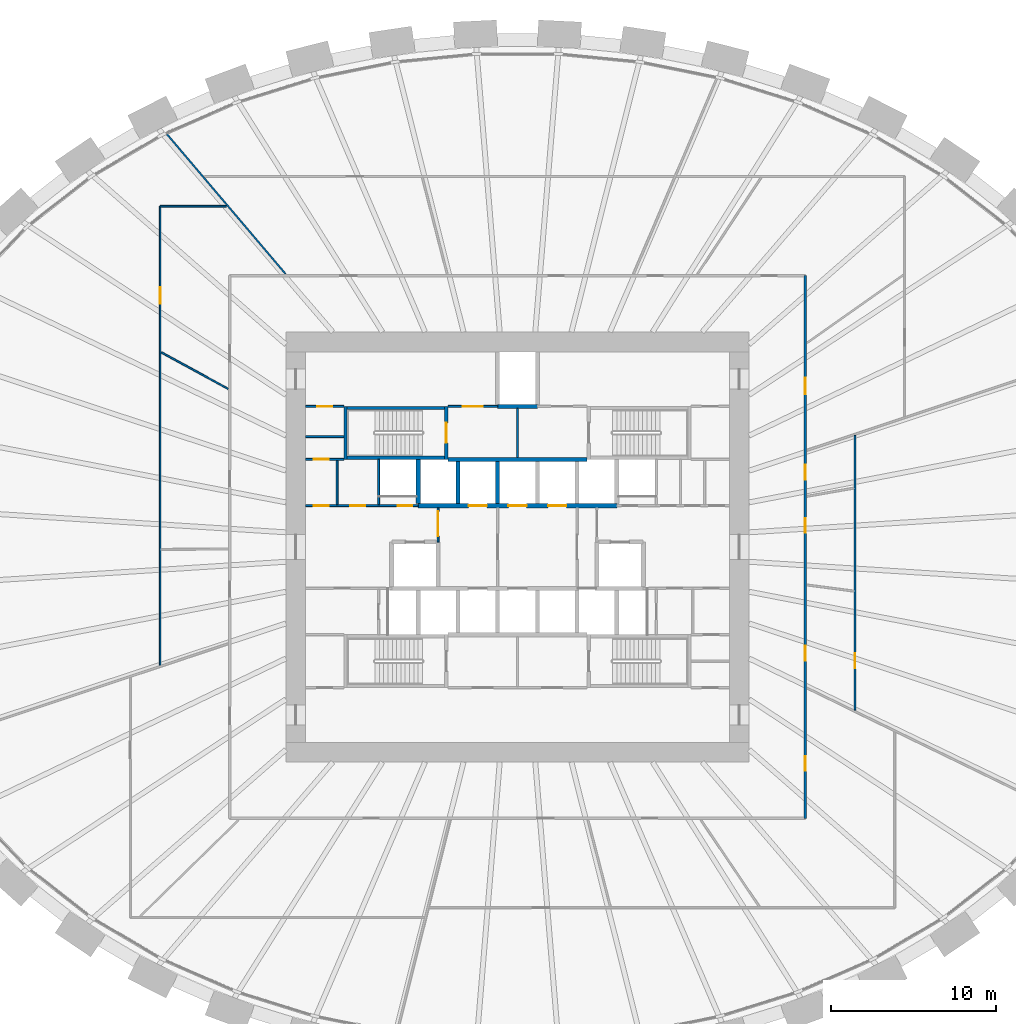
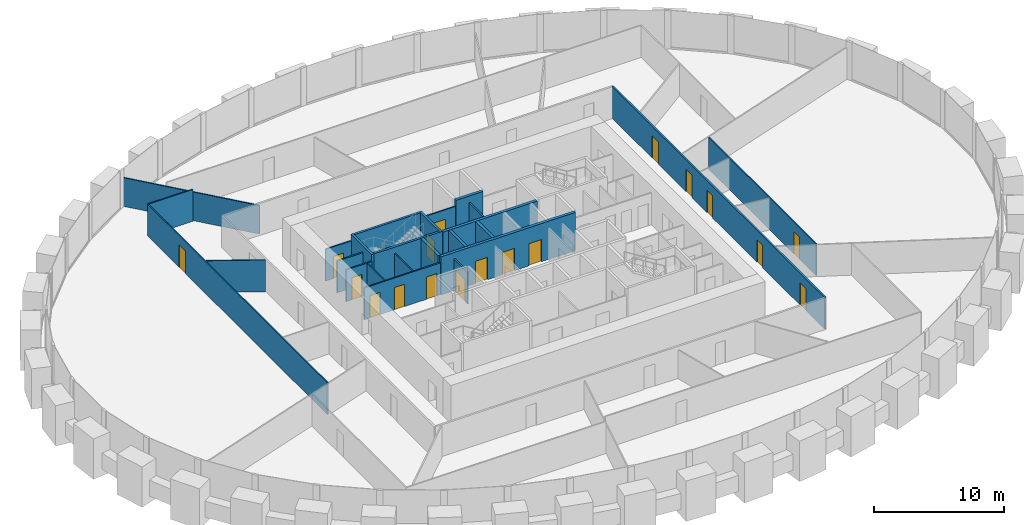
# One storey, part 8 of 11: 25 walls, 18 doors, 18 openings.
"""IFC4 building model written with IfcOpenShell, lengths in metres."""

from ifc_helpers import new_model, si_unit, direction, frame, frame_2d, origin, place, context, subcontext, project, spatial, rectangle, extrude, source, transform, mapped, material, layer, layer_set, type_object, element, fill, save


model = new_model("IFC4")

# Units and contexts
model_context = context("Model", 3, precision=1e-05, world=origin(), true_north=direction((0.0, 1.0)))
body_context = subcontext(model_context, "Body", "Model", "MODEL_VIEW")
ifc_project = project(units=[si_unit("LENGTHUNIT", "METRE"), si_unit("AREAUNIT", "SQUARE_METRE"), si_unit("VOLUMEUNIT", "CUBIC_METRE"), si_unit("PLANEANGLEUNIT", "RADIAN"), si_unit("MASSUNIT", "GRAM", prefix="KILO")], contexts=[model_context])

# Site, building, storey
site_placement = place(None, origin())
site = spatial("IfcSite", under=ifc_project, at=site_placement, CompositionType="ELEMENT")
building_placement = place(site_placement, origin())
building = spatial("IfcBuilding", under=site, at=building_placement, Name="Embergate Tower", CompositionType="ELEMENT")
storey_placement = place(building_placement, frame((0.0, 0.0, 49.699951171875)))
storey = spatial("IfcBuildingStorey", under=building, at=storey_placement, Name="L08", CompositionType="ELEMENT", Elevation=49.699951171875)

# Wall, openings, doors
ifc_material_1 = material(Name="Corridor wall dry-lined 150")
ifc_layer_1 = layer(ifc_material_1, 0.14990234375)
ifc_layer_set_1 = layer_set([ifc_layer_1], Name="Corridor wall dry-lined 150")
wall_type_1 = type_object("IfcWallType", Name="Corridor wall dry-lined 150", PredefinedType="PARTITIONING", material=ifc_layer_set_1)
shared_shape_1 = source(origin(), body_context, "Body", "SweptSolid", [
    extrude(rectangle(XDim=32.7998046875, YDim=0.14990234375, at=frame_2d((16.39990234375, 0.0))), origin(), (0.0, 0.0, 1.0), 3.0),
])
wall_1_placement = place(storey_placement, frame((17.39990234375, 16.39990234375, 0.0), z_axis=(0.0, 0.0, 1.0), x_axis=(0.0, -1.0, 0.0)))
wall_1 = element("IfcWall", 1, at=wall_1_placement, inside=storey, type_object=wall_type_1, Name="IP-2 wall", PredefinedType="PARTITIONING", context=body_context, shape_type="MappedRepresentation", body=[
    mapped(shared_shape_1, transform((0.0, 0.0, 0.0))),
])
shared_shape_2 = source(origin(), body_context, "Body", "SweptSolid", [
    extrude(rectangle(XDim=0.89990234375, YDim=2.10009765625, at=frame_2d((0.449951171875, 1.050048828125))), frame((0.0, 0.0849609375, 0.0), z_axis=(0.0, -1.0, 0.0), x_axis=(1.0, 0.0, 0.0)), (0.0, 0.0, 1.0), 0.169921875),
])
opening_1_placement = place(wall_1_placement, frame((29.031005859375, 0.0, 0.0)))
opening_1 = element("IfcOpeningElement", 2, at=opening_1_placement, cuts=wall_1, Name="Opening IF-1c", PredefinedType="OPENING", context=body_context, shape_type="MappedRepresentation", body=[
    mapped(shared_shape_2, transform((0.0, 0.0, 0.0))),
])
opening_2_placement = place(wall_1_placement, frame((22.361083984375, 0.0, 0.0)))
opening_2 = element("IfcOpeningElement", 3, at=opening_2_placement, cuts=wall_1, Name="Opening IF-1c", PredefinedType="OPENING", context=body_context, shape_type="MappedRepresentation", body=[
    mapped(shared_shape_2, transform((0.0, 0.0, 0.0))),
])
opening_3_placement = place(wall_1_placement, frame((14.64599609375, 0.0, 0.0)))
opening_3 = element("IfcOpeningElement", 4, at=opening_3_placement, cuts=wall_1, Name="Opening IF-1c", PredefinedType="OPENING", context=body_context, shape_type="MappedRepresentation", body=[
    mapped(shared_shape_2, transform((0.0, 0.0, 0.0))),
])
opening_4_placement = place(wall_1_placement, frame((11.429931640625, 0.0, 0.0)))
opening_4 = element("IfcOpeningElement", 5, at=opening_4_placement, cuts=wall_1, Name="Opening IF-1c", PredefinedType="OPENING", context=body_context, shape_type="MappedRepresentation", body=[
    mapped(shared_shape_2, transform((0.0, 0.0, 0.0))),
])
shared_shape_3 = source(origin(), body_context, "Body", "SweptSolid", [
    extrude(rectangle(XDim=1.0, YDim=2.10009765625, at=frame_2d((0.5, 1.050048828125))), frame((0.0, 0.0849609375, 0.0), z_axis=(0.0, -1.0, 0.0), x_axis=(1.0, 0.0, 0.0)), (0.0, 0.0, 1.0), 0.169921875),
])
opening_5_placement = place(wall_1_placement, frame((6.178955078125, 0.0, 0.0)))
opening_5 = element("IfcOpeningElement", 6, at=opening_5_placement, cuts=wall_1, Name="Opening ID-2", PredefinedType="OPENING", context=body_context, shape_type="MappedRepresentation", body=[
    mapped(shared_shape_3, transform((0.0, 0.0, 0.0))),
])
ifc_material_2 = material(Name="Escape fire door 900")
door_type_1 = type_object("IfcDoorType", Name="Escape fire door 900", OperationType="SINGLE_SWING_LEFT", PredefinedType="DOOR", material=ifc_material_2)
shared_shape_4 = source(origin(), body_context, "Body", "SweptSolid", [
    extrude(rectangle(XDim=0.89990234375, YDim=2.10009765625, at=frame_2d((0.449951171875, 1.050048828125))), frame((0.0, 0.02490234375, 0.0), z_axis=(0.0, -1.0, 0.0), x_axis=(1.0, 0.0, 0.0)), (0.0, 0.0, 1.0), 0.050048828125),
])
door_1_placement = place(opening_1_placement, origin())
door_1 = element("IfcDoor", 7, at=door_1_placement, inside=storey, type_object=door_type_1, Name="IF-1 door", OperationType="SINGLE_SWING_RIGHT", OverallHeight=2.10009765625, OverallWidth=0.89990234375, PredefinedType="DOOR", context=body_context, shape_type="MappedRepresentation", body=[
    mapped(shared_shape_4, transform((0.0, 0.0, 0.0))),
])
fill(opening_1, door_1)
door_2_placement = place(opening_2_placement, origin())
door_2 = element("IfcDoor", 8, at=door_2_placement, inside=storey, type_object=door_type_1, Name="IF-1 door", OperationType="SINGLE_SWING_LEFT", OverallHeight=2.10009765625, OverallWidth=0.89990234375, PredefinedType="DOOR", context=body_context, shape_type="MappedRepresentation", body=[
    mapped(shared_shape_4, transform((0.0, 0.0, 0.0))),
])
fill(opening_2, door_2)
door_3_placement = place(opening_3_placement, origin())
door_3 = element("IfcDoor", 9, at=door_3_placement, inside=storey, type_object=door_type_1, Name="IF-1 door", OperationType="SINGLE_SWING_RIGHT", OverallHeight=2.10009765625, OverallWidth=0.89990234375, PredefinedType="DOOR", context=body_context, shape_type="MappedRepresentation", body=[
    mapped(shared_shape_4, transform((0.0, 0.0, 0.0))),
])
fill(opening_3, door_3)
door_4_placement = place(opening_4_placement, origin())
door_4 = element("IfcDoor", 10, at=door_4_placement, inside=storey, type_object=door_type_1, Name="IF-1 door", OperationType="SINGLE_SWING_RIGHT", OverallHeight=2.10009765625, OverallWidth=0.89990234375, PredefinedType="DOOR", context=body_context, shape_type="MappedRepresentation", body=[
    mapped(shared_shape_4, transform((0.0, 0.0, 0.0))),
])
fill(opening_4, door_4)
ifc_material_3 = material(Name="Interior door 1000")
door_type_2 = type_object("IfcDoorType", Name="Interior door 1000", OperationType="SINGLE_SWING_LEFT", PredefinedType="DOOR", material=ifc_material_3)
shared_shape_5 = source(origin(), body_context, "Body", "SweptSolid", [
    extrude(rectangle(XDim=1.0, YDim=2.10009765625, at=frame_2d((0.5, 1.050048828125))), frame((0.0, 0.02490234375, 0.0), z_axis=(0.0, -1.0, 0.0), x_axis=(1.0, 0.0, 0.0)), (0.0, 0.0, 1.0), 0.050048828125),
])
door_5_placement = place(opening_5_placement, origin())
door_5 = element("IfcDoor", 11, at=door_5_placement, inside=storey, type_object=door_type_2, Name="ID-2 door", OperationType="SINGLE_SWING_RIGHT", OverallHeight=2.10009765625, OverallWidth=1.0, PredefinedType="DOOR", context=body_context, shape_type="MappedRepresentation", body=[
    mapped(shared_shape_5, transform((0.0, 0.0, 0.0))),
])
fill(opening_5, door_5)

# Wall, opening, door
ifc_material_4 = material(Name="Partition dry-lined 100 wet")
ifc_layer_2 = layer(ifc_material_4, 0.10009765625)
ifc_layer_set_2 = layer_set([ifc_layer_2], Name="Partition dry-lined 100 wet")
wall_type_2 = type_object("IfcWallType", Name="Partition dry-lined 100 wet", PredefinedType="PLUMBINGWALL", material=ifc_layer_set_2)
shared_shape_6 = source(origin(), body_context, "Body", "SweptSolid", [
    extrude(rectangle(XDim=16.60400390625, YDim=0.10009765625, at=frame_2d((8.302001953125, 0.0))), origin(), (0.0, 0.0, 1.0), 3.0),
])
wall_2_placement = place(storey_placement, frame((20.39990234375, 6.74609375, 0.0), z_axis=(0.0, 0.0, 1.0), x_axis=(0.0, -1.0, 0.0)))
wall_2 = element("IfcWall", 12, at=wall_2_placement, inside=storey, type_object=wall_type_2, Name="IP-1 wall", PredefinedType="PLUMBINGWALL", context=body_context, shape_type="MappedRepresentation", body=[
    mapped(shared_shape_6, transform((0.0, 0.0, 0.0))),
])
shared_shape_7 = source(origin(), body_context, "Body", "SweptSolid", [
    extrude(rectangle(XDim=0.89990234375, YDim=2.10009765625, at=frame_2d((0.449951171875, 1.050048828125))), frame((0.0, 0.06005859375, 0.0), z_axis=(0.0, -1.0, 0.0), x_axis=(1.0, 0.0, 0.0)), (0.0, 0.0, 1.0), 0.1201171875),
])
opening_6_placement = place(wall_2_placement, frame((13.177978515625, 0.0, 0.0)))
opening_6 = element("IfcOpeningElement", 13, at=opening_6_placement, cuts=wall_2, Name="Opening ID-1", PredefinedType="OPENING", context=body_context, shape_type="MappedRepresentation", body=[
    mapped(shared_shape_7, transform((0.0, 0.0, 0.0))),
])
ifc_material_5 = material(Name="Interior door 900")
door_type_3 = type_object("IfcDoorType", Name="Interior door 900", OperationType="SINGLE_SWING_LEFT", PredefinedType="DOOR", material=ifc_material_5)
door_6_placement = place(opening_6_placement, origin())
door_6 = element("IfcDoor", 14, at=door_6_placement, inside=storey, type_object=door_type_3, Name="ID-1 door", OperationType="SINGLE_SWING_RIGHT", OverallHeight=2.10009765625, OverallWidth=0.89990234375, PredefinedType="DOOR", context=body_context, shape_type="MappedRepresentation", body=[
    mapped(shared_shape_4, transform((0.0, 0.0, 0.0))),
])
fill(opening_6, door_6)

# Walls
ifc_material_6 = material(Name="Partition dry-lined 100")
ifc_layer_3 = layer(ifc_material_6, 0.10009765625)
ifc_layer_set_3 = layer_set([ifc_layer_3], Name="Partition dry-lined 100")
wall_type_3 = type_object("IfcWallType", Name="Partition dry-lined 100", PredefinedType="PARTITIONING", material=ifc_layer_set_3)
shared_shape_8 = source(origin(), body_context, "Body", "SweptSolid", [
    extrude(rectangle(XDim=11.15966796875, YDim=0.10009765625, at=frame_2d((5.579833984375, 0.0))), origin(), (0.0, 0.0, 1.0), 2.699951171875),
])
wall_3_placement = place(storey_placement, frame((-14.01708984375, 16.507080078125, 0.0), z_axis=(0.0, 0.0, 1.0), x_axis=(-0.647236818458, 0.762288987742, 0.0)))
element("IfcWall", 15, at=wall_3_placement, inside=storey, type_object=wall_type_3, Name="IP-1 wall", PredefinedType="PARTITIONING", context=body_context, shape_type="MappedRepresentation", body=[
    mapped(shared_shape_8, transform((0.0, 0.0, 0.0))),
])
shared_shape_9 = source(origin(), body_context, "Body", "SweptSolid", [
    extrude(rectangle(XDim=4.589599609375, YDim=0.10009765625, at=frame_2d((2.294921875, 0.0))), origin(), (0.0, 0.0, 1.0), 3.0),
])
wall_4_placement = place(storey_placement, frame((-17.4990234375, 9.56591796875, 0.0), z_axis=(0.0, 0.0, 1.0), x_axis=(-0.877374638448, 0.479805943907, 0.0)))
element("IfcWall", 16, at=wall_4_placement, inside=storey, type_object=wall_type_3, Name="IP-1 wall", PredefinedType="PARTITIONING", context=body_context, shape_type="MappedRepresentation", body=[
    mapped(shared_shape_9, transform((0.0, 0.0, 0.0))),
])

# Wall, opening, door
shared_shape_10 = source(origin(), body_context, "Body", "SweptSolid", [
    extrude(rectangle(XDim=27.7470703125, YDim=0.10009765625, at=frame_2d((13.87353515625, 0.0))), origin(), (0.0, 0.0, 1.0), 3.0),
])
wall_5_placement = place(storey_placement, frame((-21.60009765625, -7.14697265625, 0.0), z_axis=(0.0, 0.0, 1.0), x_axis=(0.0, 1.0, 0.0)))
wall_5 = element("IfcWall", 17, at=wall_5_placement, inside=storey, type_object=wall_type_3, Name="IP-1 wall", PredefinedType="PARTITIONING", context=body_context, shape_type="MappedRepresentation", body=[
    mapped(shared_shape_10, transform((0.0, 0.0, 0.0))),
])
shared_shape_11 = source(origin(), body_context, "Body", "SweptSolid", [
    extrude(rectangle(XDim=1.0, YDim=2.10009765625, at=frame_2d((0.5, 1.050048828125))), frame((0.0, 0.06005859375, 0.0), z_axis=(0.0, -1.0, 0.0), x_axis=(1.0, 0.0, 0.0)), (0.0, 0.0, 1.0), 0.1201171875),
])
opening_7_placement = place(wall_5_placement, frame((21.84375, 0.0, 0.0)))
opening_7 = element("IfcOpeningElement", 18, at=opening_7_placement, cuts=wall_5, Name="Opening ID-2", PredefinedType="OPENING", context=body_context, shape_type="MappedRepresentation", body=[
    mapped(shared_shape_11, transform((0.0, 0.0, 0.0))),
])
door_7_placement = place(opening_7_placement, origin())
door_7 = element("IfcDoor", 19, at=door_7_placement, inside=storey, type_object=door_type_2, Name="ID-2 door", OperationType="SINGLE_SWING_LEFT", OverallHeight=2.10009765625, OverallWidth=1.0, PredefinedType="DOOR", context=body_context, shape_type="MappedRepresentation", body=[
    mapped(shared_shape_5, transform((0.0, 0.0, 0.0))),
])
fill(opening_7, door_7)

# Walls
shared_shape_12 = source(origin(), body_context, "Body", "SweptSolid", [
    extrude(rectangle(XDim=4.0, YDim=0.10009765625, at=frame_2d((2.0, 0.0))), origin(), (0.0, 0.0, 1.0), 3.0),
])
wall_6_placement = place(storey_placement, frame((-21.60009765625, 20.60009765625, 0.0), z_axis=(0.0, 0.0, 1.0), x_axis=(1.0, 0.0, 0.0)))
element("IfcWall", 20, at=wall_6_placement, inside=storey, type_object=wall_type_3, Name="IP-1 wall", PredefinedType="PARTITIONING", context=body_context, shape_type="MappedRepresentation", body=[
    mapped(shared_shape_12, transform((0.0, 0.0, 0.0))),
])
ifc_material_7 = material(Name="Concrete C50", Category="concrete")
ifc_layer_4 = layer(ifc_material_7, 0.25)
ifc_layer_set_4 = layer_set([ifc_layer_4], Name="Concrete C50")
wall_type_4 = type_object("IfcWallType", Name="Hoistway wall reinforced concrete 250", PredefinedType="SHEAR", material=ifc_layer_set_4)
shared_shape_13 = source(origin(), body_context, "Body", "SweptSolid", [
    extrude(rectangle(XDim=2.675048828125, YDim=0.25, at=frame_2d((1.33740234375, 0.0))), origin(), (0.0, 0.0, 1.0), 3.60009765625),
])
wall_7_placement = place(storey_placement, frame((-6.0, 2.625, 0.0), z_axis=(0.0, 0.0, 1.0), x_axis=(0.0, 1.0, 0.0)))
element("IfcWall", 21, at=wall_7_placement, inside=storey, type_object=wall_type_4, Name="HW-1 wall", PredefinedType="SHEAR", context=body_context, shape_type="MappedRepresentation", body=[
    mapped(shared_shape_13, transform((0.0, 0.0, 0.0))),
])

# Wall, openings, doors
ifc_material_8 = material(Name="Core partition blockwork 120")
ifc_layer_5 = layer(ifc_material_8, 0.1201171875)
ifc_layer_set_5 = layer_set([ifc_layer_5], Name="Core partition blockwork 120")
wall_type_5 = type_object("IfcWallType", Name="Core partition blockwork 120", PredefinedType="PARTITIONING", material=ifc_layer_set_5)
shared_shape_14 = source(origin(), body_context, "Body", "SweptSolid", [
    extrude(rectangle(XDim=6.800048828125, YDim=0.1201171875, at=frame_2d((3.39990234375, 0.0))), origin(), (0.0, 0.0, 1.0), 3.0),
])
wall_8_placement = place(storey_placement, frame((-12.800048828125, 2.5, 0.0), z_axis=(0.0, 0.0, 1.0), x_axis=(1.0, 0.0, 0.0)))
wall_8 = element("IfcWall", 22, at=wall_8_placement, inside=storey, type_object=wall_type_5, Name="IP-3 wall", PredefinedType="PARTITIONING", context=body_context, shape_type="MappedRepresentation", body=[
    mapped(shared_shape_14, transform((0.0, 0.0, 0.0))),
])
shared_shape_15 = source(origin(), body_context, "Body", "SweptSolid", [
    extrude(rectangle(XDim=0.89990234375, YDim=2.10009765625, at=frame_2d((0.449951171875, 1.050048828125))), frame((0.0, 0.070068359375, 0.0), z_axis=(0.0, -1.0, 0.0), x_axis=(1.0, 0.0, 0.0)), (0.0, 0.0, 1.0), 0.14013671875),
])
opening_8_placement = place(wall_8_placement, frame((5.550048828125, 0.0, 0.0)))
opening_8 = element("IfcOpeningElement", 23, at=opening_8_placement, cuts=wall_8, Name="Opening ID-1", PredefinedType="OPENING", context=body_context, shape_type="MappedRepresentation", body=[
    mapped(shared_shape_15, transform((0.0, 0.0, 0.0))),
])
opening_9_placement = place(wall_8_placement, frame((0.49609375, 0.0, 0.0)))
opening_9 = element("IfcOpeningElement", 24, at=opening_9_placement, cuts=wall_8, Name="Opening ID-1", PredefinedType="OPENING", context=body_context, shape_type="MappedRepresentation", body=[
    mapped(shared_shape_15, transform((0.0, 0.0, 0.0))),
])
opening_10_placement = place(wall_8_placement, frame((2.696044921875, 0.0, 0.0)))
opening_10 = element("IfcOpeningElement", 25, at=opening_10_placement, cuts=wall_8, Name="Opening ID-1", PredefinedType="OPENING", context=body_context, shape_type="MappedRepresentation", body=[
    mapped(shared_shape_15, transform((0.0, 0.0, 0.0))),
])
door_8_placement = place(opening_8_placement, origin())
door_8 = element("IfcDoor", 26, at=door_8_placement, inside=storey, type_object=door_type_3, Name="ID-1 door", OperationType="SINGLE_SWING_RIGHT", OverallHeight=2.10009765625, OverallWidth=0.89990234375, PredefinedType="DOOR", context=body_context, shape_type="MappedRepresentation", body=[
    mapped(shared_shape_4, transform((0.0, 0.0, 0.0))),
])
fill(opening_8, door_8)
door_9_placement = place(opening_9_placement, origin())
door_9 = element("IfcDoor", 27, at=door_9_placement, inside=storey, type_object=door_type_3, Name="ID-1 door", OperationType="SINGLE_SWING_RIGHT", OverallHeight=2.10009765625, OverallWidth=0.89990234375, PredefinedType="DOOR", context=body_context, shape_type="MappedRepresentation", body=[
    mapped(shared_shape_4, transform((0.0, 0.0, 0.0))),
])
fill(opening_9, door_9)
door_10_placement = place(opening_10_placement, origin())
door_10 = element("IfcDoor", 28, at=door_10_placement, inside=storey, type_object=door_type_3, Name="ID-1 door", OperationType="SINGLE_SWING_RIGHT", OverallHeight=2.10009765625, OverallWidth=0.89990234375, PredefinedType="DOOR", context=body_context, shape_type="MappedRepresentation", body=[
    mapped(shared_shape_4, transform((0.0, 0.0, 0.0))),
])
fill(opening_10, door_10)

# Walls
ifc_layer_6 = layer(ifc_material_7, 0.199951171875)
ifc_layer_set_6 = layer_set([ifc_layer_6], Name="Concrete C50")
wall_type_6 = type_object("IfcWallType", Name="Stair enclosure wall reinforced concrete 250", PredefinedType="SHEAR", material=ifc_layer_set_6)
shared_shape_16 = source(origin(), body_context, "Body", "SweptSolid", [
    extrude(rectangle(XDim=6.300048828125, YDim=0.199951171875, at=frame_2d((3.14990234375, 0.0))), origin(), (0.0, 0.0, 1.0), 3.60009765625),
])
for number, where, z_axis, x_axis, name in (
    (29, (-4.199951171875, 5.39990234375, 0.0), (0.0, 0.0, 1.0), (-1.0, 0.0, 0.0), "SE-1 wall"),
    (30, (-4.199951171875, 8.39990234375, 0.0), (0.0, 0.0, 1.0), (-1.0, 0.0, 0.0), "SE-1 wall"),
):
    element("IfcWall", number, at=place(storey_placement, frame(where, z_axis=z_axis, x_axis=x_axis)), inside=storey, type_object=wall_type_6, Name=name, PredefinedType="SHEAR", context=body_context, shape_type="MappedRepresentation", body=[
        mapped(shared_shape_16, transform((0.0, 0.0, 0.0))),
    ])
shared_shape_17 = source(origin(), body_context, "Body", "SweptSolid", [
    extrude(rectangle(XDim=2.739990234375, YDim=0.1201171875, at=frame_2d((1.3701171875, 0.0))), origin(), (0.0, 0.0, 1.0), 3.0),
])
wall_9_placement = place(storey_placement, frame((-8.39990234375, 5.300048828125, 0.0), z_axis=(0.0, 0.0, 1.0), x_axis=(0.0, -1.0, 0.0)))
element("IfcWall", 31, at=wall_9_placement, inside=storey, type_object=wall_type_5, Name="IP-3 wall", PredefinedType="PARTITIONING", context=body_context, shape_type="MappedRepresentation", body=[
    mapped(shared_shape_17, transform((0.0, 0.0, 0.0))),
])
shared_shape_18 = source(origin(), body_context, "Body", "SweptSolid", [
    extrude(rectangle(XDim=2.550048828125, YDim=0.25, at=frame_2d((1.27490234375, 0.0))), origin(), (0.0, 0.0, 1.0), 3.60009765625),
])
for number, where, z_axis, x_axis, name in (
    (32, (-3.60009765625, 2.625, 0.0), (0.0, 0.0, 1.0), (0.0, 1.0, 0.0), "HW-1 wall"),
    (33, (-1.199951171875, 2.625, 0.0), (0.0, 0.0, 1.0), (0.0, 1.0, 0.0), "HW-1 wall"),
):
    element("IfcWall", number, at=place(storey_placement, frame(where, z_axis=z_axis, x_axis=x_axis)), inside=storey, type_object=wall_type_4, Name=name, PredefinedType="SHEAR", context=body_context, shape_type="MappedRepresentation", body=[
        mapped(shared_shape_18, transform((0.0, 0.0, 0.0))),
    ])

# Wall, openings, doors
shared_shape_19 = source(origin(), body_context, "Body", "SweptSolid", [
    extrude(rectangle(XDim=12.0, YDim=0.25, at=frame_2d((6.0, 0.0))), origin(), (0.0, 0.0, 1.0), 3.60009765625),
])
wall_10_placement = place(storey_placement, frame((-6.0, 2.5, 0.0), z_axis=(0.0, 0.0, 1.0), x_axis=(1.0, 0.0, 0.0)))
wall_10 = element("IfcWall", 34, at=wall_10_placement, inside=storey, type_object=wall_type_4, Name="HW-1 wall", PredefinedType="SHEAR", context=body_context, shape_type="MappedRepresentation", body=[
    mapped(shared_shape_19, transform((0.0, 0.0, 0.0))),
])
shared_shape_20 = source(origin(), body_context, "Body", "SweptSolid", [
    extrude(rectangle(XDim=1.10009765625, YDim=2.10009765625, at=frame_2d((0.550048828125, 1.050048828125))), frame((0.0, 0.135009765625, 0.0), z_axis=(0.0, -1.0, 0.0), x_axis=(1.0, 0.0, 0.0)), (0.0, 0.0, 1.0), 0.27001953125),
])
opening_11_placement = place(wall_10_placement, frame((3.050048828125, 0.0, 0.0)))
opening_11 = element("IfcOpeningElement", 35, at=opening_11_placement, cuts=wall_10, Name="Opening LD", PredefinedType="OPENING", context=body_context, shape_type="MappedRepresentation", body=[
    mapped(shared_shape_20, transform((0.0, 0.0, 0.0))),
])
opening_12_placement = place(wall_10_placement, frame((5.449951171875, 0.0, 0.0)))
opening_12 = element("IfcOpeningElement", 36, at=opening_12_placement, cuts=wall_10, Name="Opening LD", PredefinedType="OPENING", context=body_context, shape_type="MappedRepresentation", body=[
    mapped(shared_shape_20, transform((0.0, 0.0, 0.0))),
])
opening_13_placement = place(wall_10_placement, frame((7.85009765625, 0.0, 0.0)))
opening_13 = element("IfcOpeningElement", 37, at=opening_13_placement, cuts=wall_10, Name="Opening LD", PredefinedType="OPENING", context=body_context, shape_type="MappedRepresentation", body=[
    mapped(shared_shape_20, transform((0.0, 0.0, 0.0))),
])
ifc_material_9 = material(Name="Landing door sliding 1100")
door_type_4 = type_object("IfcDoorType", Name="Landing door sliding 1100", OperationType="SLIDING_TO_LEFT", PredefinedType="DOOR", material=ifc_material_9)
shared_shape_21 = source(origin(), body_context, "Body", "SweptSolid", [
    extrude(rectangle(XDim=1.10009765625, YDim=2.10009765625, at=frame_2d((0.550048828125, 1.050048828125))), frame((0.0, 0.02490234375, 0.0), z_axis=(0.0, -1.0, 0.0), x_axis=(1.0, 0.0, 0.0)), (0.0, 0.0, 1.0), 0.050048828125),
])
door_11_placement = place(opening_11_placement, origin())
door_11 = element("IfcDoor", 38, at=door_11_placement, inside=storey, type_object=door_type_4, Name="LD door", OperationType="SLIDING_TO_RIGHT", OverallHeight=2.10009765625, OverallWidth=1.10009765625, PredefinedType="DOOR", context=body_context, shape_type="MappedRepresentation", body=[
    mapped(shared_shape_21, transform((0.0, 0.0, 0.0))),
])
fill(opening_11, door_11)
door_12_placement = place(opening_12_placement, origin())
door_12 = element("IfcDoor", 39, at=door_12_placement, inside=storey, type_object=door_type_4, Name="LD door", OperationType="SLIDING_TO_RIGHT", OverallHeight=2.10009765625, OverallWidth=1.10009765625, PredefinedType="DOOR", context=body_context, shape_type="MappedRepresentation", body=[
    mapped(shared_shape_21, transform((0.0, 0.0, 0.0))),
])
fill(opening_12, door_12)
door_13_placement = place(opening_13_placement, origin())
door_13 = element("IfcDoor", 40, at=door_13_placement, inside=storey, type_object=door_type_4, Name="LD door", OperationType="SLIDING_TO_RIGHT", OverallHeight=2.10009765625, OverallWidth=1.10009765625, PredefinedType="DOOR", context=body_context, shape_type="MappedRepresentation", body=[
    mapped(shared_shape_21, transform((0.0, 0.0, 0.0))),
])
fill(opening_13, door_13)

# Wall
shared_shape_22 = source(origin(), body_context, "Body", "SweptSolid", [
    extrude(rectangle(XDim=8.39990234375, YDim=0.25, at=frame_2d((4.199951171875, 0.0))), origin(), (0.0, 0.0, 1.0), 3.60009765625),
])
wall_11_placement = place(storey_placement, frame((4.199951171875, 5.300048828125, 0.0), z_axis=(0.0, 0.0, 1.0), x_axis=(-1.0, 0.0, 0.0)))
element("IfcWall", 41, at=wall_11_placement, inside=storey, type_object=wall_type_4, Name="HW-1 wall", PredefinedType="SHEAR", context=body_context, shape_type="MappedRepresentation", body=[
    mapped(shared_shape_22, transform((0.0, 0.0, 0.0))),
])

# Wall, opening, door
shared_shape_23 = source(origin(), body_context, "Body", "SweptSolid", [
    extrude(rectangle(XDim=2.074951171875, YDim=0.1201171875, at=frame_2d((1.03759765625, 0.0))), origin(), (0.0, 0.0, 1.0), 3.0),
])
wall_12_placement = place(storey_placement, frame((-4.800048828125, 2.375, 0.0), z_axis=(0.0, 0.0, 1.0), x_axis=(0.0, -1.0, 0.0)))
wall_12 = element("IfcWall", 42, at=wall_12_placement, inside=storey, type_object=wall_type_5, Name="IP-3 wall", PredefinedType="PARTITIONING", context=body_context, shape_type="MappedRepresentation", body=[
    mapped(shared_shape_23, transform((0.0, 0.0, 0.0))),
])
shared_shape_24 = source(origin(), body_context, "Body", "SweptSolid", [
    extrude(rectangle(XDim=1.5, YDim=2.10009765625, at=frame_2d((0.75, 1.050048828125))), frame((0.0, 0.070068359375, 0.0), z_axis=(0.0, -1.0, 0.0), x_axis=(1.0, 0.0, 0.0)), (0.0, 0.0, 1.0), 0.14013671875),
])
opening_14_placement = place(wall_12_placement, frame((0.22509765625, 0.0, 0.0)))
opening_14 = element("IfcOpeningElement", 43, at=opening_14_placement, cuts=wall_12, Name="Opening IF-3", PredefinedType="OPENING", context=body_context, shape_type="MappedRepresentation", body=[
    mapped(shared_shape_24, transform((0.0, 0.0, 0.0))),
])
ifc_material_10 = material(Name="Lobby fire door pair 1500")
door_type_5 = type_object("IfcDoorType", Name="Lobby fire door pair 1500", OperationType="DOUBLE_DOOR_SINGLE_SWING", PredefinedType="DOOR", material=ifc_material_10)
shared_shape_25 = source(origin(), body_context, "Body", "SweptSolid", [
    extrude(rectangle(XDim=1.5, YDim=2.10009765625, at=frame_2d((0.75, 1.050048828125))), frame((0.0, 0.02490234375, 0.0), z_axis=(0.0, -1.0, 0.0), x_axis=(1.0, 0.0, 0.0)), (0.0, 0.0, 1.0), 0.050048828125),
])
door_14_placement = place(opening_14_placement, origin())
door_14 = element("IfcDoor", 44, at=door_14_placement, inside=storey, type_object=door_type_5, Name="IF-3 door", OperationType="DOUBLE_DOOR_SINGLE_SWING", OverallHeight=2.10009765625, OverallWidth=1.5, PredefinedType="DOOR", context=body_context, shape_type="MappedRepresentation", body=[
    mapped(shared_shape_25, transform((0.0, 0.0, 0.0))),
])
fill(opening_14, door_14)

shared_shape_26 = source(origin(), body_context, "Body", "SweptSolid", [
    extrude(rectangle(XDim=3.199951171875, YDim=0.199951171875, at=frame_2d((1.60009765625, 0.0))), origin(), (0.0, 0.0, 1.0), 3.60009765625),
])
wall_13_placement = place(storey_placement, frame((-4.300048828125, 5.300048828125, 0.0), z_axis=(0.0, 0.0, 1.0), x_axis=(0.0, 1.0, 0.0)))
wall_13 = element("IfcWall", 45, at=wall_13_placement, inside=storey, type_object=wall_type_6, Name="SE-1 wall", PredefinedType="SHEAR", context=body_context, shape_type="MappedRepresentation", body=[
    mapped(shared_shape_26, transform((0.0, 0.0, 0.0))),
])
shared_shape_27 = source(origin(), body_context, "Body", "SweptSolid", [
    extrude(rectangle(XDim=1.199951171875, YDim=2.10009765625, at=frame_2d((0.60009765625, 1.050048828125))), frame((0.0, 0.10986328125, 0.0), z_axis=(0.0, -1.0, 0.0), x_axis=(1.0, 0.0, 0.0)), (0.0, 0.0, 1.0), 0.219970703125),
])
opening_15_placement = place(wall_13_placement, frame((1.0, 0.0, 0.0)))
opening_15 = element("IfcOpeningElement", 46, at=opening_15_placement, cuts=wall_13, Name="Opening IF-2", PredefinedType="OPENING", context=body_context, shape_type="MappedRepresentation", body=[
    mapped(shared_shape_27, transform((0.0, 0.0, 0.0))),
])
ifc_material_11 = material(Name="Stair enclosure door 1200")
door_type_6 = type_object("IfcDoorType", Name="Stair enclosure door 1200", OperationType="SINGLE_SWING_LEFT", PredefinedType="DOOR", material=ifc_material_11)
shared_shape_28 = source(origin(), body_context, "Body", "SweptSolid", [
    extrude(rectangle(XDim=1.199951171875, YDim=2.10009765625, at=frame_2d((0.60009765625, 1.050048828125))), frame((0.0, 0.02490234375, 0.0), z_axis=(0.0, -1.0, 0.0), x_axis=(1.0, 0.0, 0.0)), (0.0, 0.0, 1.0), 0.050048828125),
])
door_15_placement = place(opening_15_placement, origin())
door_15 = element("IfcDoor", 47, at=door_15_placement, inside=storey, type_object=door_type_6, Name="IF-2 door", OperationType="SINGLE_SWING_RIGHT", OverallHeight=2.10009765625, OverallWidth=1.199951171875, PredefinedType="DOOR", context=body_context, shape_type="MappedRepresentation", body=[
    mapped(shared_shape_28, transform((0.0, 0.0, 0.0))),
])
fill(opening_15, door_15)

# Walls
wall_14_placement = place(storey_placement, frame((-10.39990234375, 8.5, 0.0), z_axis=(0.0, 0.0, 1.0), x_axis=(0.0, -1.0, 0.0)))
element("IfcWall", 48, at=wall_14_placement, inside=storey, type_object=wall_type_6, Name="SE-1 wall", PredefinedType="SHEAR", context=body_context, shape_type="MappedRepresentation", body=[
    mapped(shared_shape_26, transform((0.0, 0.0, 0.0))),
])
shared_shape_29 = source(origin(), body_context, "Body", "SweptSolid", [
    extrude(rectangle(XDim=2.949951171875, YDim=0.1201171875, at=frame_2d((1.47509765625, 0.0))), origin(), (0.0, 0.0, 1.0), 3.0),
])
wall_15_placement = place(storey_placement, frame((0.0, 5.425048828125, 0.0), z_axis=(0.0, 0.0, 1.0), x_axis=(0.0, 1.0, 0.0)))
element("IfcWall", 49, at=wall_15_placement, inside=storey, type_object=wall_type_5, Name="IP-3 wall", PredefinedType="PARTITIONING", context=body_context, shape_type="MappedRepresentation", body=[
    mapped(shared_shape_29, transform((0.0, 0.0, 0.0))),
])

# Wall, opening, door
shared_shape_30 = source(origin(), body_context, "Body", "SweptSolid", [
    extrude(rectangle(XDim=3.0, YDim=0.1201171875, at=frame_2d((1.5, 0.0))), origin(), (0.0, 0.0, 1.0), 3.0),
])
wall_16_placement = place(storey_placement, frame((-1.199951171875, 8.5, 0.0), z_axis=(0.0, 0.0, 1.0), x_axis=(-1.0, 0.0, 0.0)))
wall_16 = element("IfcWall", 50, at=wall_16_placement, inside=storey, type_object=wall_type_5, Name="IP-3 wall", PredefinedType="PARTITIONING", context=body_context, shape_type="MappedRepresentation", body=[
    mapped(shared_shape_30, transform((0.0, 0.0, 0.0))),
])
shared_shape_31 = source(origin(), body_context, "Body", "SweptSolid", [
    extrude(rectangle(XDim=1.199951171875, YDim=2.10009765625, at=frame_2d((0.60009765625, 1.050048828125))), frame((0.0, 0.070068359375, 0.0), z_axis=(0.0, -1.0, 0.0), x_axis=(1.0, 0.0, 0.0)), (0.0, 0.0, 1.0), 0.14013671875),
])
opening_16_placement = place(wall_16_placement, frame((0.89990234375, 0.0, 0.0)))
opening_16 = element("IfcOpeningElement", 51, at=opening_16_placement, cuts=wall_16, Name="Opening IF-3f", PredefinedType="OPENING", context=body_context, shape_type="MappedRepresentation", body=[
    mapped(shared_shape_31, transform((0.0, 0.0, 0.0))),
])
ifc_material_12 = material(Name="Lobby fire door pair 1200")
door_type_7 = type_object("IfcDoorType", Name="Lobby fire door pair 1200", OperationType="DOUBLE_DOOR_SINGLE_SWING", PredefinedType="DOOR", material=ifc_material_12)
door_16_placement = place(opening_16_placement, origin())
door_16 = element("IfcDoor", 52, at=door_16_placement, inside=storey, type_object=door_type_7, Name="IF-3 door", OperationType="DOUBLE_DOOR_SINGLE_SWING", OverallHeight=2.10009765625, OverallWidth=1.199951171875, PredefinedType="DOOR", context=body_context, shape_type="MappedRepresentation", body=[
    mapped(shared_shape_28, transform((0.0, 0.0, 0.0))),
])
fill(opening_16, door_16)

# Wall
shared_shape_32 = source(origin(), body_context, "Body", "SweptSolid", [
    extrude(rectangle(XDim=2.39990234375, YDim=0.25, at=frame_2d((1.199951171875, 0.0))), origin(), (0.0, 0.0, 1.0), 3.60009765625),
])
wall_17_placement = place(storey_placement, frame((1.199951171875, 8.5, 0.0), z_axis=(0.0, 0.0, 1.0), x_axis=(-1.0, 0.0, 0.0)))
element("IfcWall", 53, at=wall_17_placement, inside=storey, type_object=wall_type_4, Name="HW-1 wall", PredefinedType="SHEAR", context=body_context, shape_type="MappedRepresentation", body=[
    mapped(shared_shape_32, transform((0.0, 0.0, 0.0))),
])

# Wall, opening, door
shared_shape_33 = source(origin(), body_context, "Body", "SweptSolid", [
    extrude(rectangle(XDim=2.300048828125, YDim=0.1201171875, at=frame_2d((1.14990234375, 0.0))), origin(), (0.0, 0.0, 1.0), 3.0),
])
wall_18_placement = place(storey_placement, frame((-12.800048828125, 8.5, 0.0), z_axis=(0.0, 0.0, 1.0), x_axis=(1.0, 0.0, 0.0)))
wall_18 = element("IfcWall", 54, at=wall_18_placement, inside=storey, type_object=wall_type_5, Name="IP-3 wall", PredefinedType="PARTITIONING", context=body_context, shape_type="MappedRepresentation", body=[
    mapped(shared_shape_33, transform((0.0, 0.0, 0.0))),
])
opening_17_placement = place(wall_18_placement, frame((0.699951171875, 0.0, 0.0)))
opening_17 = element("IfcOpeningElement", 55, at=opening_17_placement, cuts=wall_18, Name="Opening ID-1", PredefinedType="OPENING", context=body_context, shape_type="MappedRepresentation", body=[
    mapped(shared_shape_15, transform((0.0, 0.0, 0.0))),
])
door_17_placement = place(opening_17_placement, origin())
door_17 = element("IfcDoor", 56, at=door_17_placement, inside=storey, type_object=door_type_3, Name="ID-1 door", OperationType="SINGLE_SWING_RIGHT", OverallHeight=2.10009765625, OverallWidth=0.89990234375, PredefinedType="DOOR", context=body_context, shape_type="MappedRepresentation", body=[
    mapped(shared_shape_4, transform((0.0, 0.0, 0.0))),
])
fill(opening_17, door_17)

wall_19_placement = place(storey_placement, frame((-10.5, 5.300048828125, 0.0), z_axis=(0.0, 0.0, 1.0), x_axis=(-1.0, 0.0, 0.0)))
wall_19 = element("IfcWall", 57, at=wall_19_placement, inside=storey, type_object=wall_type_5, Name="IP-3 wall", PredefinedType="PARTITIONING", context=body_context, shape_type="MappedRepresentation", body=[
    mapped(shared_shape_33, transform((0.0, 0.0, 0.0))),
])
opening_18_placement = place(wall_19_placement, frame((0.904052734375, 0.0, 0.0)))
opening_18 = element("IfcOpeningElement", 58, at=opening_18_placement, cuts=wall_19, Name="Opening ID-1", PredefinedType="OPENING", context=body_context, shape_type="MappedRepresentation", body=[
    mapped(shared_shape_15, transform((0.0, 0.0, 0.0))),
])
door_18_placement = place(opening_18_placement, origin())
door_18 = element("IfcDoor", 59, at=door_18_placement, inside=storey, type_object=door_type_3, Name="ID-1 door", OperationType="SINGLE_SWING_LEFT", OverallHeight=2.10009765625, OverallWidth=0.89990234375, PredefinedType="DOOR", context=body_context, shape_type="MappedRepresentation", body=[
    mapped(shared_shape_4, transform((0.0, 0.0, 0.0))),
])
fill(opening_18, door_18)

# Walls
wall_20_placement = place(storey_placement, frame((-10.5, 6.676025390625, 0.0), z_axis=(0.0, 0.0, 1.0), x_axis=(-1.0, 0.0, 0.0)))
element("IfcWall", 60, at=wall_20_placement, inside=storey, type_object=wall_type_5, Name="IP-3 wall", PredefinedType="PARTITIONING", context=body_context, shape_type="MappedRepresentation", body=[
    mapped(shared_shape_33, transform((0.0, 0.0, 0.0))),
])
shared_shape_34 = source(origin(), body_context, "Body", "SweptSolid", [
    extrude(rectangle(XDim=2.679931640625, YDim=0.1201171875, at=frame_2d((1.33984375, 0.0))), origin(), (0.0, 0.0, 1.0), 3.0),
])
wall_21_placement = place(storey_placement, frame((-10.907958984375, 2.56005859375, 0.0), z_axis=(0.0, 0.0, 1.0), x_axis=(0.0, 1.0, 0.0)))
element("IfcWall", 61, at=wall_21_placement, inside=storey, type_object=wall_type_5, Name="IP-3 wall", PredefinedType="PARTITIONING", context=body_context, shape_type="MappedRepresentation", body=[
    mapped(shared_shape_34, transform((0.0, 0.0, 0.0))),
])

save(model, "model.ifc")
